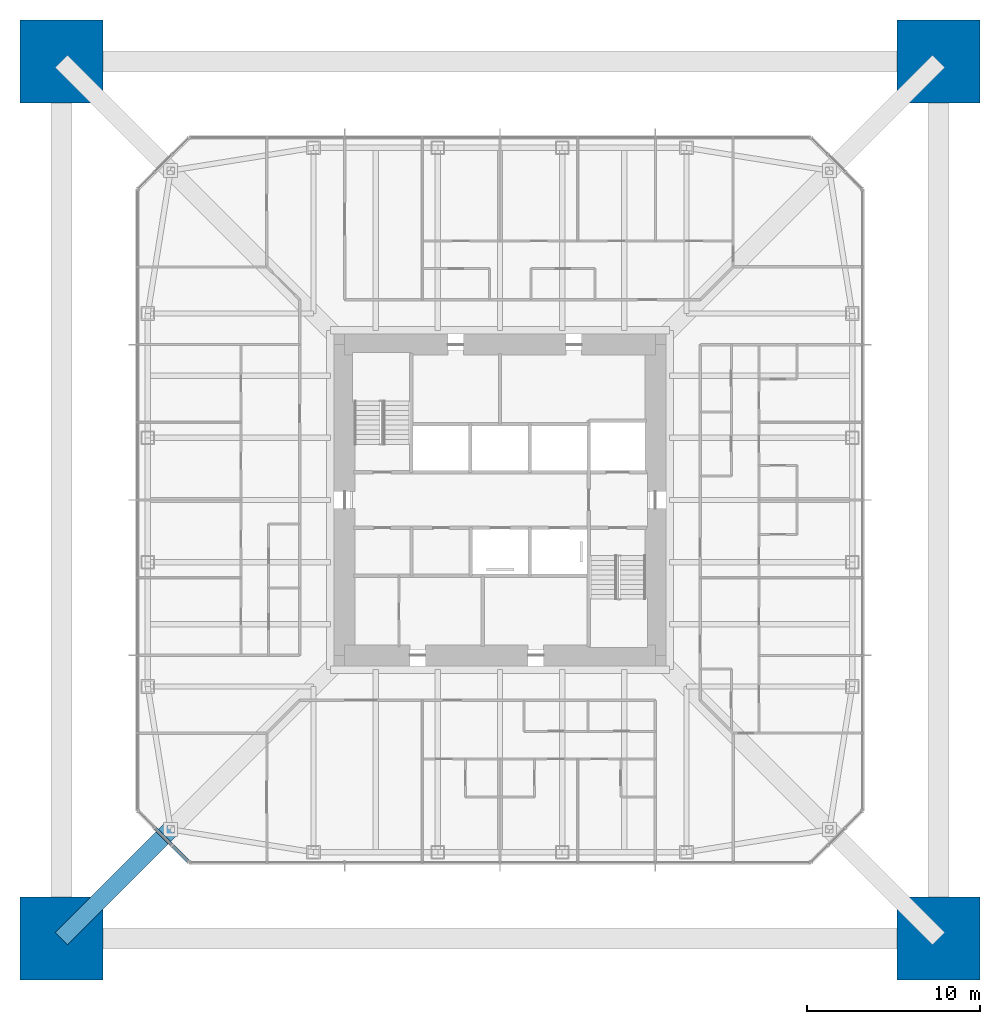
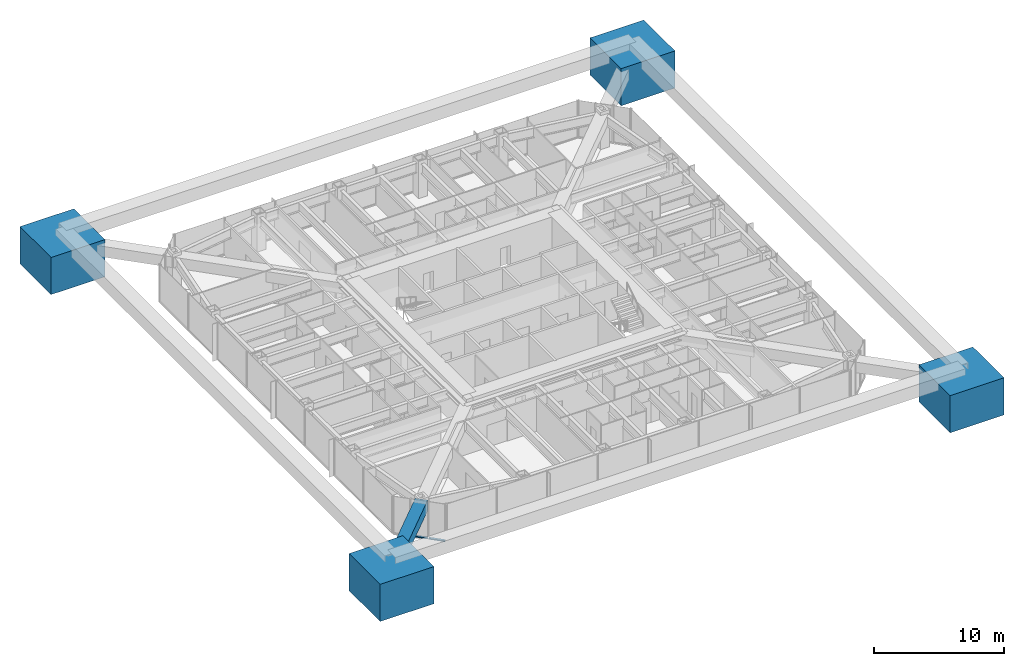
# One storey, part 1 of 20: 4 columns, 3 members, 1 element without a shape of its own.
"""IFC4 building model written with IfcOpenShell, lengths in metres."""

import ifcopenshell
import ifcopenshell.guid

model = None  # the IFC model being written
_history = None  # IfcOwnerHistory: only IFC2X3 demands one
_inside = {}  # id of a spatial element -> (the spatial element, [elements in it])
_under = {}  # id of a project, library or spatial element -> (it, [spatial elements below it])
_declared = {}  # id of a project -> (the project, [libraries it declares])
_typed = {}  # id of a type object -> (the type object, [elements of that type])
_made_of = {}  # id of a material, layer set ... -> (it, [elements and type objects made of it])


def new_model(schema):
    """Start an empty IFC model of exactly this schema.

    Asked for "IFC4X3", IfcOpenShell would pick the latest addendum, in which some entities
    have other attributes; the version numbers below select the first issue.
    IFC2X3 requires an IfcOwnerHistory on every rooted entity: one is made here for all.
    """
    global model, _history
    if schema == "IFC4X3":
        model = ifcopenshell.file(schema_version=(4, 3, 0, 0))
    else:
        model = ifcopenshell.file(schema=schema)
    _inside.clear()
    _under.clear()
    _declared.clear()
    _typed.clear()
    _made_of.clear()
    _history = None
    if model.schema == "IFC2X3":
        org = make("IfcOrganization", Name="unknown")
        user = make(
            "IfcPersonAndOrganization",
            ThePerson=make("IfcPerson", FamilyName="unknown"),
            TheOrganization=org,
        )
        app = make(
            "IfcApplication",
            ApplicationDeveloper=org,
            Version="unknown",
            ApplicationFullName="unknown",
            ApplicationIdentifier="unknown",
        )
        _history = make(
            "IfcOwnerHistory",
            OwningUser=user,
            OwningApplication=app,
            ChangeAction="ADDED",
            CreationDate=0,
        )
    return model


def make(cls, **values):
    """One entity of the class cls with the attributes given. An attribute that is None is left unset."""
    return model.create_entity(
        cls, **{name: value for name, value in values.items() if value is not None}
    )


def rooted(cls, **values):
    """An entity with a GlobalId (a new one), such as an element, a storey or a relation."""
    return make(cls, GlobalId=ifcopenshell.guid.new(), OwnerHistory=_history, **values)


def si_unit(unit_type, name, prefix=None):
    """IfcSIUnit, for example si_unit("LENGTHUNIT", "METRE", prefix="MILLI")."""
    return make("IfcSIUnit", UnitType=unit_type, Prefix=prefix, Name=name)


def assignment(units):
    """IfcUnitAssignment: the units of a project."""
    return None if units is None else make("IfcUnitAssignment", Units=units)


def point(xyz):
    """IfcCartesianPoint."""
    return None if xyz is None else make("IfcCartesianPoint", Coordinates=xyz)


def direction(xyz):
    """IfcDirection."""
    return None if xyz is None else make("IfcDirection", DirectionRatios=xyz)


def frame(location, z_axis=None, x_axis=None):
    """IfcAxis2Placement3D, a coordinate frame: its origin and axes. An axis left out is left unset."""
    return make(
        "IfcAxis2Placement3D",
        Location=point(location),
        Axis=direction(z_axis),
        RefDirection=direction(x_axis),
    )


def frame_2d(location, x_axis=None):
    """IfcAxis2Placement2D, a coordinate frame in the plane: its origin and x axis."""
    return make(
        "IfcAxis2Placement2D", Location=point(location), RefDirection=direction(x_axis)
    )


def origin():
    """The frame at (0, 0, 0) with its axes left unset."""
    return frame((0.0, 0.0, 0.0))


def origin_2d():
    """The frame at (0, 0) in the plane with its x axis left unset."""
    return frame_2d((0.0, 0.0))


def place(relative_to, where):
    """IfcLocalPlacement: puts the frame where relative to a parent placement (None: the world)."""
    return make(
        "IfcLocalPlacement", PlacementRelTo=relative_to, RelativePlacement=where
    )


def context(
    kind, dimensions, precision=None, world=None, true_north=None, identifier=None
):
    """IfcGeometricRepresentationContext, for example the 3D "Model" context."""
    return make(
        "IfcGeometricRepresentationContext",
        ContextIdentifier=identifier,
        ContextType=kind,
        CoordinateSpaceDimension=dimensions,
        Precision=precision,
        WorldCoordinateSystem=world,
        TrueNorth=true_north,
    )


def subcontext(parent, identifier, kind, view, scale=None):
    """IfcGeometricRepresentationSubContext, for example "Body" below "Model"."""
    return make(
        "IfcGeometricRepresentationSubContext",
        ContextIdentifier=identifier,
        ContextType=kind,
        ParentContext=parent,
        TargetScale=scale,
        TargetView=view,
    )


def project(units=None, contexts=None):
    """IfcProject with its units and contexts."""
    return rooted(
        "IfcProject",
        Name="project",
        RepresentationContexts=contexts,
        UnitsInContext=assignment(units),
    )


def spatial(cls, under=None, at=None, **own):
    """A site, building, storey or space (cls), placed at a placement, below another one or the project."""
    s = rooted(cls, ObjectPlacement=at, **own)
    if under is not None:
        _under.setdefault(under.id(), (under, []))[1].append(s)
    return s


def profile(cls, at=None, kind="AREA", **sizes):
    """A parametric profile (cls). Its sizes go by their IFC names, for example OverallWidth=200.0."""
    return make(cls, ProfileType=kind, Position=at, **sizes)


def rectangle(**sizes):
    """IfcRectangleProfileDef."""
    return profile("IfcRectangleProfileDef", **sizes)


def hollow_rectangle(**sizes):
    """IfcRectangleHollowProfileDef."""
    return profile("IfcRectangleHollowProfileDef", **sizes)


def i_section(**sizes):
    """IfcIShapeProfileDef."""
    return profile("IfcIShapeProfileDef", **sizes)


def extrude(swept, where, along, depth):
    """IfcExtrudedAreaSolid: the profile swept, set in the frame where, extruded along a direction by depth."""
    return make(
        "IfcExtrudedAreaSolid",
        SweptArea=swept,
        Position=where,
        ExtrudedDirection=direction(along),
        Depth=depth,
    )


def shape(context_of_items, identifier, shape_type, items):
    """IfcShapeRepresentation: the items that make up one representation, for example the "Body"."""
    return make(
        "IfcShapeRepresentation",
        ContextOfItems=context_of_items,
        RepresentationIdentifier=identifier,
        RepresentationType=shape_type,
        Items=items,
    )


def material(Name=None, Category=None):
    """IfcMaterial."""
    return make("IfcMaterial", Name=Name, Category=Category)


def material_profile(
    of_material, cross_section, Name=None, Category=None, Priority=None
):
    """IfcMaterialProfile: a cross section and its material."""
    return make(
        "IfcMaterialProfile",
        Name=Name,
        Material=of_material,
        Profile=cross_section,
        Priority=Priority,
        Category=Category,
    )


def profile_set(profiles, Name=None, composite=None):
    """IfcMaterialProfileSet."""
    return make(
        "IfcMaterialProfileSet",
        Name=Name,
        MaterialProfiles=profiles,
        CompositeProfile=composite,
    )


def made_of(thing, what):
    """Note that an element or type object is made of a material, layer set ...; save() writes the relation."""
    if what is not None:
        _made_of.setdefault(what.id(), (what, []))[1].append(thing)
    return thing


def type_object(cls, material=None, **own):
    """A type object (cls), such as IfcWallType, which elements share."""
    return made_of(rooted(cls, **own), material)


def element(
    cls,
    number,
    at=None,
    inside=None,
    cuts=None,
    type_object=None,
    material=None,
    context=None,
    identifier="Body",
    shape_type=None,
    held_by="IfcProductDefinitionShape",
    body=None,
    shapes=None,
    **own,
):
    """One element of the class cls, such as IfcWall. Its Tag is "e" and its number.

    at: its placement. inside: the storey or other place that contains it. cuts: it is an
    opening in that element (IfcRelVoidsElement). A single representation is given by context,
    identifier, shape_type and body (its items); several are given by shapes. held_by: the class
    of the entity that holds the representations. save() writes the other relations.
    """
    e = rooted(cls, Tag="e%d" % number, ObjectPlacement=at, **own)
    if body is not None:
        shapes = [shape(context, identifier, shape_type, body)]
    if shapes is not None:
        e.Representation = make(held_by, Representations=shapes)
    if inside is not None:
        _inside.setdefault(inside.id(), (inside, []))[1].append(e)
    if cuts is not None:
        rooted(
            "IfcRelVoidsElement", RelatingBuildingElement=cuts, RelatedOpeningElement=e
        )
    if type_object is not None:
        _typed.setdefault(type_object.id(), (type_object, []))[1].append(e)
    return made_of(e, material)


def aggregate(whole, parts):
    """IfcRelAggregates: a whole, such as a stair, and the parts it consists of."""
    return rooted("IfcRelAggregates", RelatingObject=whole, RelatedObjects=parts)


def save(model, path):
    """Write the relations noted so far, then the file.

    IfcRelAggregates (storeys below a building ...), IfcRelContainedInSpatialStructure (elements
    in a storey), IfcRelDefinesByType, IfcRelAssociatesMaterial and IfcRelDeclares: one each for
    every whole, place, type object, material and project.
    """
    for whole, parts in _under.values():
        aggregate(whole, parts)
    for where, things in _inside.values():
        rooted(
            "IfcRelContainedInSpatialStructure",
            RelatedElements=things,
            RelatingStructure=where,
        )
    for kind, things in _typed.values():
        rooted("IfcRelDefinesByType", RelatedObjects=things, RelatingType=kind)
    for what, things in _made_of.values():
        rooted("IfcRelAssociatesMaterial", RelatedObjects=things, RelatingMaterial=what)
    for by, libraries in _declared.values():
        rooted("IfcRelDeclares", RelatingContext=by, RelatedDefinitions=libraries)
    model.write(path)


model = new_model("IFC4")

# Units and contexts
model_context = context("Model", 3, precision=1e-05, world=origin(), true_north=direction((0.0, 1.0)))
body_context = subcontext(model_context, "Body", "Model", "MODEL_VIEW")
ifc_project = project(units=[si_unit("LENGTHUNIT", "METRE"), si_unit("AREAUNIT", "SQUARE_METRE"), si_unit("VOLUMEUNIT", "CUBIC_METRE"), si_unit("PLANEANGLEUNIT", "RADIAN"), si_unit("MASSUNIT", "GRAM", prefix="KILO")], contexts=[model_context])

# Site, building, storey
site_placement = place(None, origin())
site = spatial("IfcSite", under=ifc_project, at=site_placement, CompositionType="ELEMENT")
building_placement = place(site_placement, origin())
building = spatial("IfcBuilding", under=site, at=building_placement, Name="Iwan Alto Co-Living Towers", CompositionType="ELEMENT")
storey_placement = place(building_placement, frame((0.0, 0.0, 140.0)))
storey = spatial("IfcBuildingStorey", under=building, at=storey_placement, Name="L38", CompositionType="ELEMENT", Elevation=140.0)

# Columns
ifc_material_1 = material(Name="Concrete f'c 70 MPa", Category="concrete")
ifc_material_profile_1 = material_profile(ifc_material_1, rectangle(XDim=4.800048828125, YDim=4.800048828125, at=origin_2d()), Name="RC 4800X4800")
ifc_profile_set_1 = profile_set([ifc_material_profile_1], Name="Concrete f'c 70 MPa")
column_type = type_object("IfcColumnType", Name="T1 MEGA COLUMN RC 4800X4800", PredefinedType="COLUMN", material=ifc_profile_set_1)
for number, where, z_axis, x_axis, name in (
    (1, (-25.39990234375, -25.39990234375, 0.0), (0.0, 0.0, 1.0), (1.0, 0.0, 0.0), "T1 mega column SW L38"),
    (2, (25.39990234375, -25.39990234375, 0.0), (0.0, 0.0, 1.0), (1.0, 0.0, 0.0), "T1 mega column SE L38"),
    (3, (25.39990234375, 25.39990234375, 0.0), (0.0, 0.0, 1.0), (1.0, 0.0, 0.0), "T1 mega column NE L38"),
    (4, (-25.39990234375, 25.39990234375, 0.0), (0.0, 0.0, 1.0), (1.0, 0.0, 0.0), "T1 mega column NW L38"),
):
    element("IfcColumn", number, at=place(storey_placement, frame(where, z_axis=z_axis, x_axis=x_axis)), inside=storey, type_object=column_type, Name=name, PredefinedType="COLUMN", context=body_context, shape_type="SweptSolid", body=[
        extrude(rectangle(XDim=4.800048828125, YDim=4.800048828125, at=origin_2d()), origin(), (0.0, 0.0, 1.0), 3.5),
        extrude(i_section(OverallWidth=0.4775390625, OverallDepth=0.599365234375, WebThickness=0.10009765625, FlangeThickness=0.139892578125, at=origin_2d()), origin(), (0.0, 0.0, 1.0), 3.5),
    ])

# Curtain wall, members
ifc_material_2 = material(Name="Bronze aluminium unitised frame", Category="aluminium")
curtain_wall_type = type_object("IfcCurtainWallType", Name="CURTAIN WALL CW-B", PredefinedType="NOTDEFINED", material=ifc_material_2)
curtain_wall_placement = place(storey_placement, origin())
curtain_wall = element("IfcCurtainWall", 5, at=curtain_wall_placement, inside=storey, type_object=curtain_wall_type, Name="T1 chamfer curtain wall SW L38", PredefinedType="NOTDEFINED")
ifc_material_3 = material(Name="Aluminium 6063-T6 bronze anodised", Category="aluminium")
ifc_material_profile_2 = material_profile(ifc_material_3, rectangle(XDim=0.199951171875, YDim=0.10009765625, at=origin_2d()), Name="AL 200X100")
ifc_profile_set_2 = profile_set([ifc_material_profile_2], Name="Aluminium 6063-T6 bronze anodised")
member_type_1 = type_object("IfcMemberType", Name="CW-B TRANSOM 200X100", PredefinedType="USERDEFINED", material=ifc_profile_set_2)
member_1_placement = place(storey_placement, frame((-19.9716796875, -19.0283203125, 0.050048828125), z_axis=(0.707106781187, -0.707106781187, 0.0), x_axis=(0.707106781187, 0.707106781187, 0.0)))
member_1 = element("IfcMember", 6, at=member_1_placement, type_object=member_type_1, Name="CW-B transom 2.1", ObjectType="TRANSOM", PredefinedType="USERDEFINED", context=body_context, shape_type="SweptSolid", body=[
    extrude(rectangle(XDim=0.199951171875, YDim=0.10009765625, at=origin_2d()), origin(), (0.0, 0.0, 1.0), 1.334228515625),
])
member_2_placement = place(storey_placement, frame((-18.9716796875, -20.0283203125, 0.050048828125), z_axis=(0.707106781187, -0.707106781187, 0.0), x_axis=(0.707106781187, 0.707106781187, 0.0)))
member_2 = element("IfcMember", 7, at=member_2_placement, type_object=member_type_1, Name="CW-B transom 3.1", ObjectType="TRANSOM", PredefinedType="USERDEFINED", context=body_context, shape_type="SweptSolid", body=[
    extrude(rectangle(XDim=0.199951171875, YDim=0.10009765625, at=origin_2d()), origin(), (0.0, 0.0, 1.0), 1.2939453125),
])
aggregate(curtain_wall, [member_1, member_2])

# Member
ifc_material_4 = material(Name="Steel ASTM A572 Gr 50", Category="steel")
ifc_material_profile_3 = material_profile(ifc_material_4, hollow_rectangle(XDim=1.0, YDim=1.0, WallThickness=0.070068359375, at=origin_2d()), Name="BOX 1000X1000X70")
ifc_profile_set_3 = profile_set([ifc_material_profile_3], Name="Steel ASTM A572 Gr 50")
member_type_2 = type_object("IfcMemberType", Name="T1 OUTRIGGER CHORD BOX 1000X1000X70", PredefinedType="CHORD", material=ifc_profile_set_3)
member_3_placement = place(storey_placement, frame((-19.07568359375, -19.07568359375, 2.699951171875), z_axis=(-0.707106781187, -0.707106781187, 0.0), x_axis=(0.707106781187, -0.707106781187, 0.0)))
element("IfcMember", 8, at=member_3_placement, inside=storey, type_object=member_type_2, Name="T1 outrigger SW L39 bottom chord 2", PredefinedType="CHORD", context=body_context, shape_type="SweptSolid", body=[
    extrude(hollow_rectangle(XDim=1.0, YDim=1.0, WallThickness=0.070068359375, at=origin_2d()), origin(), (0.0, 0.0, 1.0), 8.94384765625),
])

save(model, "model.ifc")
